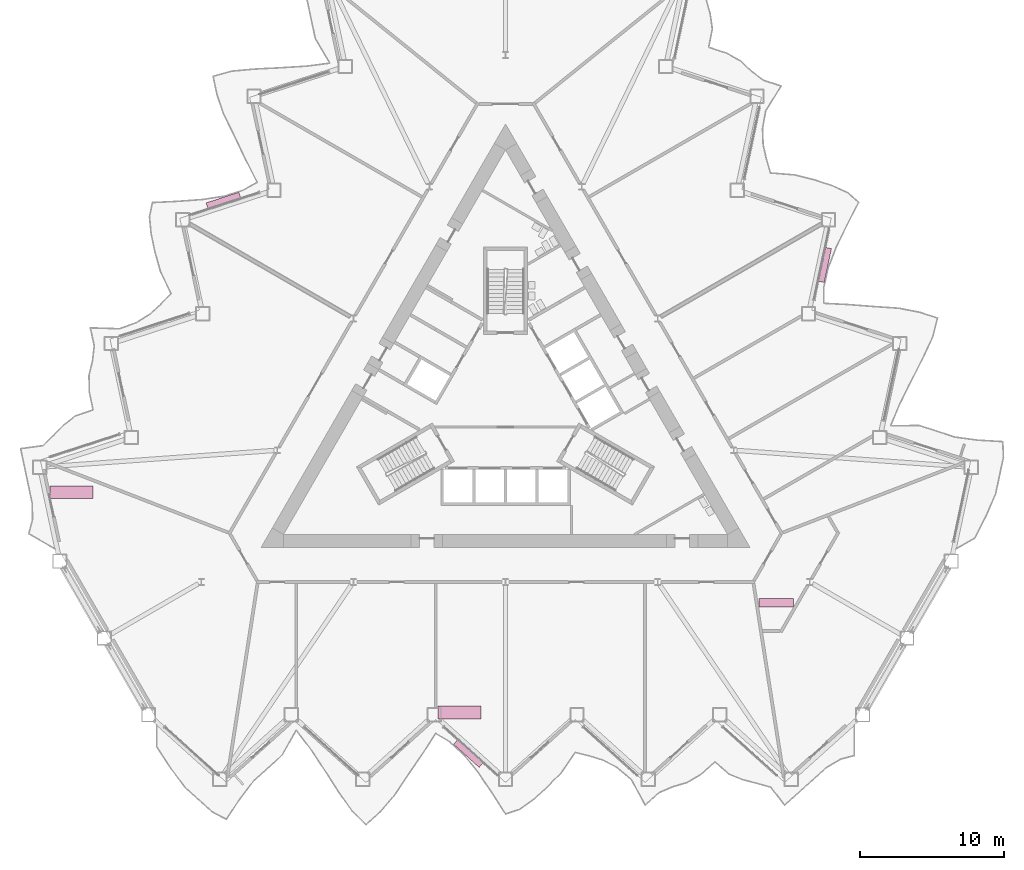
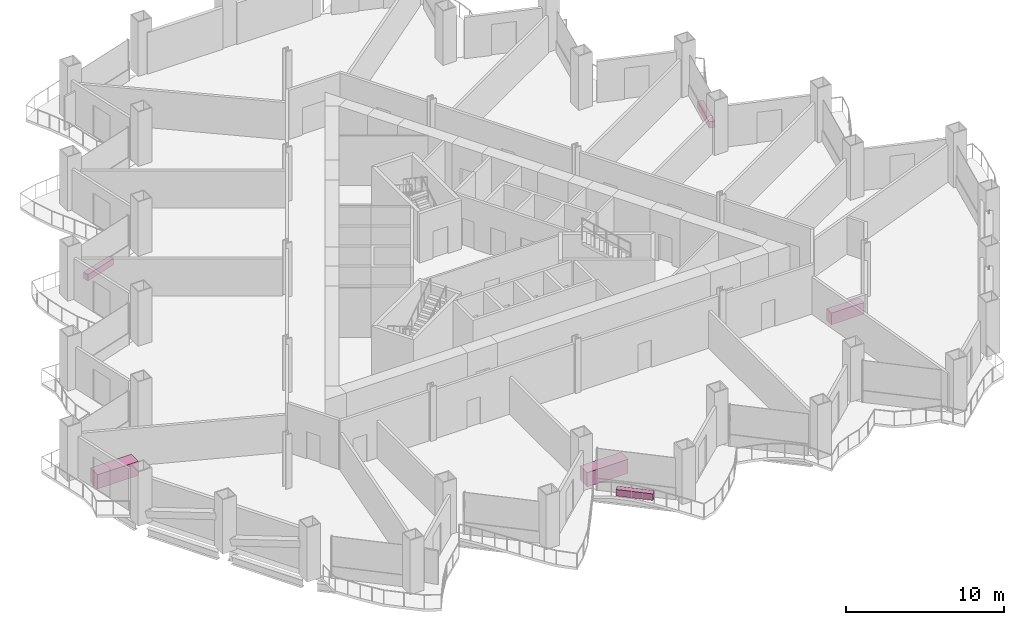
# One storey, part 21 of 21: 6 furniture elements.
"""IFC4 building model written with IfcOpenShell, lengths in metres."""

from ifc_helpers import new_model, si_unit, direction, frame, origin, origin_2d, place, context, subcontext, project, spatial, rectangle, extrude, material, type_object, element, save


model = new_model("IFC4")

# Units and contexts
model_context = context("Model", 3, precision=1e-05, world=origin(), true_north=direction((0.0, 1.0)))
body_context = subcontext(model_context, "Body", "Model", "MODEL_VIEW")
ifc_project = project(units=[si_unit("LENGTHUNIT", "METRE"), si_unit("AREAUNIT", "SQUARE_METRE"), si_unit("VOLUMEUNIT", "CUBIC_METRE"), si_unit("PLANEANGLEUNIT", "RADIAN"), si_unit("MASSUNIT", "GRAM", prefix="KILO")], contexts=[model_context])

# Site, building, storey
site_placement = place(None, origin())
site = spatial("IfcSite", under=ifc_project, at=site_placement, CompositionType="ELEMENT")
building_placement = place(site_placement, origin())
building = spatial("IfcBuilding", under=site, at=building_placement, Name="Cormorant Prow Tower", CompositionType="ELEMENT")
storey_placement = place(building_placement, frame((0.0, 0.0, 51.0)))
storey = spatial("IfcBuildingStorey", under=building, at=storey_placement, Name="L10", CompositionType="ELEMENT", Elevation=51.0)

# Furniture
ifc_material_1 = material(Name="Terracotta", Category="masonry")
furniture_type_1 = type_object("IfcFurnitureType", Name="Balcony planter 2400x400x500", AssemblyPlace="NOTDEFINED", PredefinedType="USERDEFINED", material=ifc_material_1)
for number, where, z_axis, x_axis, name in (
    (1, (-2.593505859375, -24.15771484375, 0.0), (0.0, 0.0, 1.0), (0.743144855234, -0.66913057331, 0.0), "Balcony planter S04"),
    (2, (22.218017578125, 9.832763671875, 0.0), (0.0, 0.0, 1.0), (0.207911695052, 0.978147599834, 0.0), "Balcony planter ENE04"),
    (3, (-19.62451171875, 14.324951171875, 0.0), (0.0, 0.0, 1.0), (-0.951056549556, -0.309016892008, 0.0), "Balcony planter WNW04"),
):
    element("IfcFurniture", number, at=place(storey_placement, frame(where, z_axis=z_axis, x_axis=x_axis)), inside=storey, type_object=furniture_type_1, Name=name, ObjectType="PLANTER", PredefinedType="USERDEFINED", context=body_context, shape_type="SweptSolid", body=[
        extrude(rectangle(XDim=2.39990234375, YDim=0.39990234375, at=origin_2d()), origin(), (0.0, 0.0, 1.0), 0.5),
    ])
ifc_material_2 = material(Name="Timber joinery", Category="wood")
furniture_type_2 = type_object("IfcFurnitureType", Name="Kitchen counter 2400x600", AssemblyPlace="NOTDEFINED", PredefinedType="NOTDEFINED", material=ifc_material_2)
furniture_placement = place(storey_placement, frame((18.829833984375, -13.669921875, 0.0), z_axis=(0.0, 0.0, 1.0), x_axis=(1.0, 0.0, 0.0)))
element("IfcFurniture", 4, at=furniture_placement, inside=storey, type_object=furniture_type_2, Name="Kitchen counter", PredefinedType="NOTDEFINED", context=body_context, shape_type="SweptSolid", body=[
    extrude(rectangle(XDim=2.39990234375, YDim=0.60009765625, at=origin_2d()), origin(), (0.0, 0.0, 1.0), 0.89990234375),
])
ifc_material_3 = material(Name="Timber joinery", Category="wood")
furniture_type_3 = type_object("IfcFurnitureType", Name="Reception desk 3000x900", AssemblyPlace="NOTDEFINED", PredefinedType="DESK", material=ifc_material_3)
for number, where, z_axis, x_axis, name in (
    (5, (-3.207763671875, -21.27880859375, 0.0), (0.0, 0.0, 1.0), (1.0, 0.0, 0.0), "Reception desk"),
    (6, (-30.18017578125, -5.974853515625, 0.0), (0.0, 0.0, 1.0), (1.0, 0.0, 0.0), "Reception desk"),
):
    element("IfcFurniture", number, at=place(storey_placement, frame(where, z_axis=z_axis, x_axis=x_axis)), inside=storey, type_object=furniture_type_3, Name=name, PredefinedType="DESK", context=body_context, shape_type="SweptSolid", body=[
        extrude(rectangle(XDim=3.0, YDim=0.89990234375, at=origin_2d()), origin(), (0.0, 0.0, 1.0), 1.10009765625),
    ])

save(model, "model.ifc")
